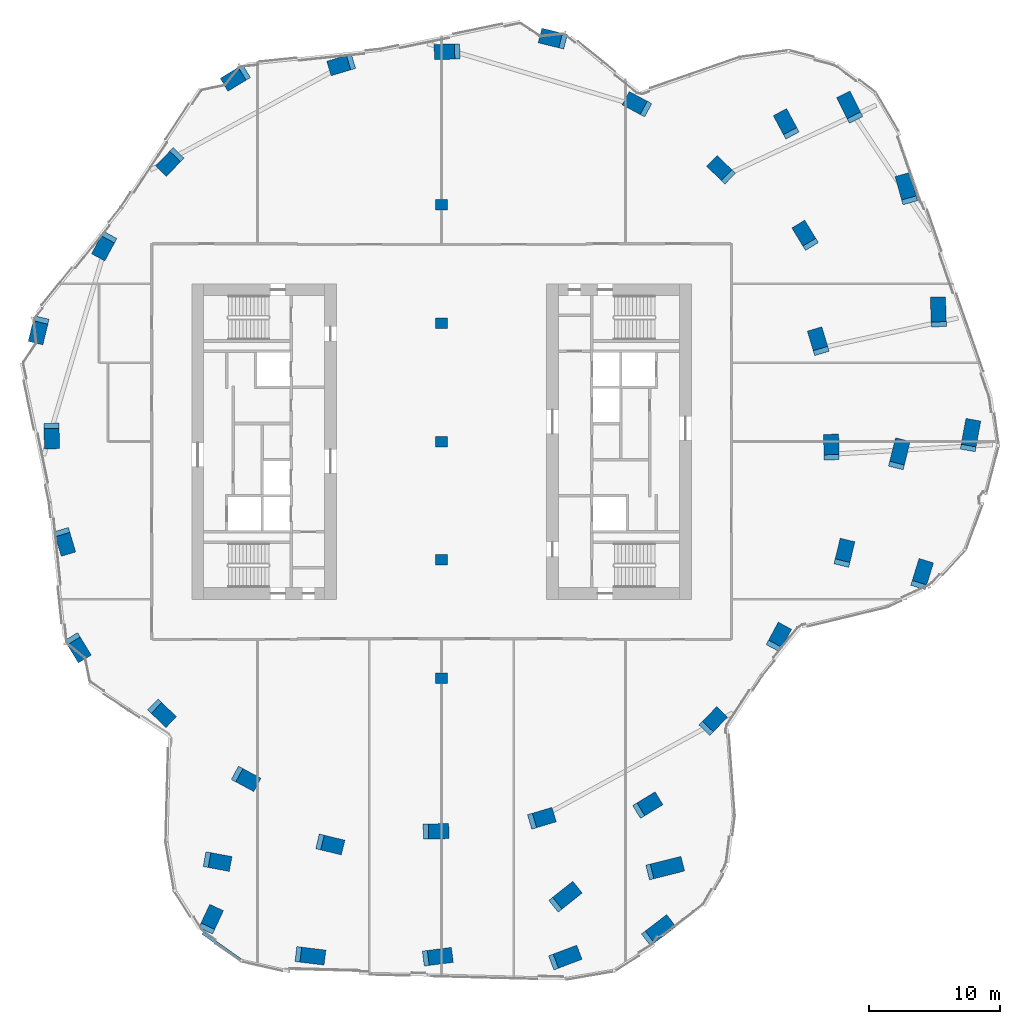
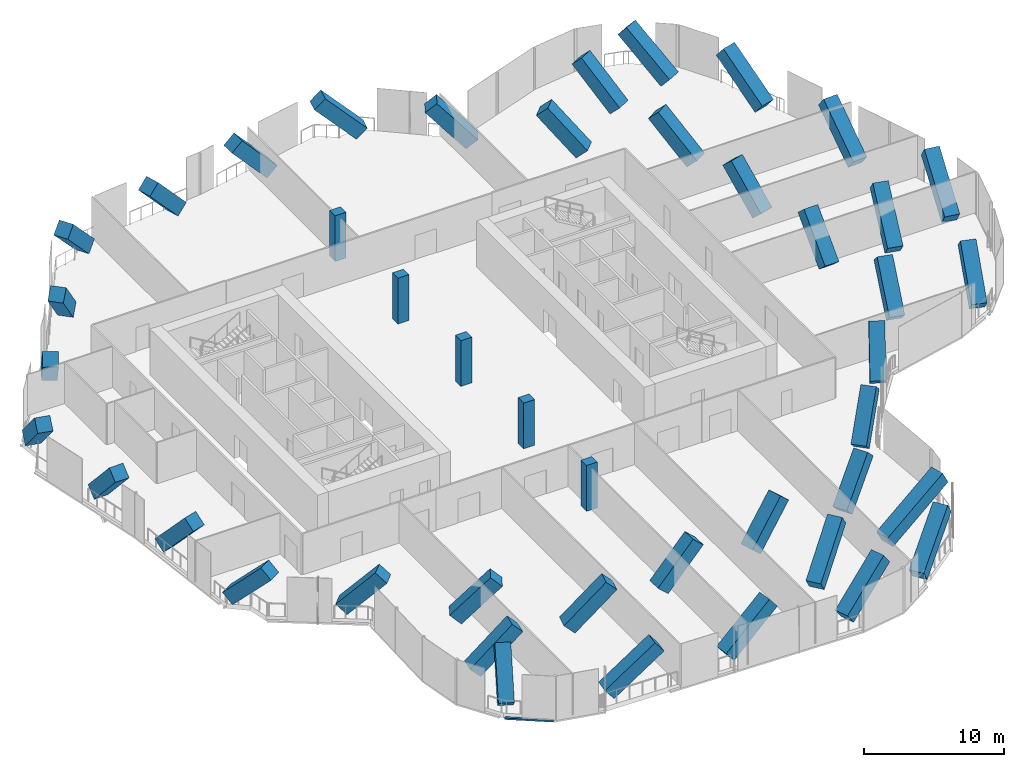
# One storey, part 1 of 26: 44 columns, 1 member, 1 element without a shape of its own.
"""IFC4 building model written with IfcOpenShell, lengths in metres."""

from ifc_helpers import new_model, si_unit, direction, frame, origin, origin_2d, place, context, subcontext, project, spatial, rectangle, extrude, material, material_profile, profile_set, type_object, element, aggregate, save


model = new_model("IFC4")

# Units and contexts
model_context = context("Model", 3, precision=1e-05, world=origin(), true_north=direction((0.0, 1.0)))
body_context = subcontext(model_context, "Body", "Model", "MODEL_VIEW")
ifc_project = project(units=[si_unit("LENGTHUNIT", "METRE"), si_unit("AREAUNIT", "SQUARE_METRE"), si_unit("VOLUMEUNIT", "CUBIC_METRE"), si_unit("PLANEANGLEUNIT", "RADIAN"), si_unit("MASSUNIT", "GRAM", prefix="KILO")], contexts=[model_context])

# Site, building, storey
site_placement = place(None, origin())
site = spatial("IfcSite", under=ifc_project, at=site_placement, CompositionType="ELEMENT")
building_placement = place(site_placement, origin())
building = spatial("IfcBuilding", under=site, at=building_placement, Name="Orlundy Tower", CompositionType="ELEMENT")
storey_placement = place(building_placement, frame((0.0, 0.0, 228.0)))
storey = spatial("IfcBuildingStorey", under=building, at=storey_placement, Name="L60", CompositionType="ELEMENT", Elevation=228.0)

# Columns
ifc_material_1 = material(Name="Concrete C60/75", Category="concrete")
ifc_material_profile_1 = material_profile(ifc_material_1, rectangle(XDim=1.14990234375, YDim=1.14990234375, at=origin_2d()), Name="RC1150X1150")
ifc_profile_set_1 = profile_set([ifc_material_profile_1], Name="Concrete C60/75")
column_type_1 = type_object("IfcColumnType", Name="RC COLUMN RC1150X1150 C60/75", PredefinedType="COLUMN", material=ifc_profile_set_1)
column_1_placement = place(storey_placement, frame((36.35498046875, -10.743896484375, 0.43408203125), z_axis=(0.223712213721, 0.720890237494, 0.65594977774), x_axis=(-0.95506876569, 0.296384299184, 0.0)))
element("IfcColumn", 1, at=column_1_placement, inside=storey, type_object=column_type_1, Name="Column C-A1-1 L60 strut", PredefinedType="COLUMN", context=body_context, shape_type="SweptSolid", body=[
    extrude(rectangle(XDim=1.14990234375, YDim=1.14990234375, at=origin_2d()), origin(), (0.0, 0.0, 1.0), 4.7744140625),
])
column_2_placement = place(storey_placement, frame((40.090087890625, -0.35107421875, 0.470703125), z_axis=(0.147012640932, 0.80533772245, 0.574298211911), x_axis=(-0.983743337071, 0.179580195924, 0.0)))
element("IfcColumn", 2, at=column_2_placement, inside=storey, type_object=column_type_1, Name="Column C-A2-5 L60 strut", PredefinedType="COLUMN", context=body_context, shape_type="SweptSolid", body=[
    extrude(rectangle(XDim=1.14990234375, YDim=1.14990234375, at=origin_2d()), origin(), (0.0, 0.0, 1.0), 5.32568359375),
])
column_3_placement = place(storey_placement, frame((34.64404296875, -1.657958984375, 0.44873046875), z_axis=(0.189224937429, 0.757145751973, 0.625239340832), x_axis=(-0.970161039222, 0.24246145668, 0.0)))
element("IfcColumn", 3, at=column_3_placement, inside=storey, type_object=column_type_1, Name="Column C-A2-6 L60 strut", PredefinedType="COLUMN", context=body_context, shape_type="SweptSolid", body=[
    extrude(rectangle(XDim=1.14990234375, YDim=1.14990234375, at=origin_2d()), origin(), (0.0, 0.0, 1.0), 4.962158203125),
])
column_4_placement = place(storey_placement, frame((37.824951171875, 9.0810546875, 0.4560546875), z_axis=(-0.027013518412, 0.792685454712, 0.609032051464), x_axis=(-0.999419833752, -0.034058712595, 0.0)))
element("IfcColumn", 4, at=column_4_placement, inside=storey, type_object=column_type_1, Name="Column C-A3-5 L60 strut", PredefinedType="COLUMN", context=body_context, shape_type="SweptSolid", body=[
    extrude(rectangle(XDim=1.14990234375, YDim=1.14990234375, at=origin_2d()), origin(), (0.0, 0.0, 1.0), 5.070068359375),
])
column_5_placement = place(storey_placement, frame((35.56103515625, 18.512939453125, 0.449951171875), z_axis=(-0.212348084924, 0.753075563993, 0.622724245349), x_axis=(-0.962468988163, -0.271391685253, 0.0)))
element("IfcColumn", 5, at=column_5_placement, inside=storey, type_object=column_type_1, Name="Column C-A4-5 L60 strut", PredefinedType="COLUMN", context=body_context, shape_type="SweptSolid", body=[
    extrude(rectangle(XDim=1.14990234375, YDim=1.14990234375, at=origin_2d()), origin(), (0.0, 0.0, 1.0), 4.978271484375),
])
column_6_placement = place(storey_placement, frame((31.3701171875, 24.802001953125, 0.439208984375), z_axis=(-0.342717857029, 0.682862302587, 0.645169393399), x_axis=(-0.893752543272, -0.448560354238, 0.0)))
element("IfcColumn", 6, at=column_6_placement, inside=storey, type_object=column_type_1, Name="Column C-A5-5 L60 strut", PredefinedType="COLUMN", context=body_context, shape_type="SweptSolid", body=[
    extrude(rectangle(XDim=1.14990234375, YDim=1.14990234375, at=origin_2d()), origin(), (0.0, 0.0, 1.0), 4.83837890625),
])
column_7_placement = place(storey_placement, frame((26.508056640625, 23.635009765625, 0.408447265625), z_axis=(-0.335727016985, 0.625884139737, 0.703957678907), x_axis=(-0.881226693687, -0.47269389073, 0.0)))
element("IfcColumn", 7, at=column_7_placement, inside=storey, type_object=column_type_1, Name="Column C-A5-6 L60 strut", PredefinedType="COLUMN", context=body_context, shape_type="SweptSolid", body=[
    extrude(rectangle(XDim=1.14990234375, YDim=1.14990234375, at=origin_2d()), origin(), (0.0, 0.0, 1.0), 4.521728515625),
])
column_8_placement = place(storey_placement, frame((-17.763916015625, -36.841064453125, 0.3916015625), z_axis=(0.288431866034, 0.616773942093, 0.73239126361), x_axis=(-0.905842892123, 0.423613803824, 0.0)))
element("IfcColumn", 8, at=column_8_placement, inside=storey, type_object=column_type_1, Name="Column C-B1-6 L60 strut", PredefinedType="COLUMN", context=body_context, shape_type="SweptSolid", body=[
    extrude(rectangle(XDim=1.14990234375, YDim=1.14990234375, at=origin_2d()), origin(), (0.0, 0.0, 1.0), 4.39208984375),
])
column_9_placement = place(storey_placement, frame((-17.633056640625, -31.843017578125, 0.408447265625), z_axis=(0.698320391651, -0.130000425442, 0.703881041078), x_axis=(0.183017252519, 0.983109701549, 0.0)))
element("IfcColumn", 9, at=column_9_placement, inside=storey, type_object=column_type_1, Name="Column C-B1-7 L60 strut", PredefinedType="COLUMN", context=body_context, shape_type="SweptSolid", body=[
    extrude(rectangle(XDim=1.14990234375, YDim=1.14990234375, at=origin_2d()), origin(), (0.0, 0.0, 1.0), 4.522216796875),
])
column_10_placement = place(storey_placement, frame((-10.72509765625, -39.032958984375, 0.450439453125), z_axis=(0.777664177806, -0.094067935619, 0.621602485553), x_axis=(0.120086800803, 0.992763395917, 0.0)))
element("IfcColumn", 10, at=column_10_placement, inside=storey, type_object=column_type_1, Name="Column C-B2-6 L60 strut", PredefinedType="COLUMN", context=body_context, shape_type="SweptSolid", body=[
    extrude(rectangle(XDim=1.14990234375, YDim=1.14990234375, at=origin_2d()), origin(), (0.0, 0.0, 1.0), 4.985595703125),
])
column_11_placement = place(storey_placement, frame((-1.029052734375, -39.287109375, 0.449462890625), z_axis=(0.775387512254, 0.098556221475, 0.623747446527), x_axis=(-0.126091286629, 0.992018642686, 0.0)))
element("IfcColumn", 11, at=column_11_placement, inside=storey, type_object=column_type_1, Name="Column C-B3-6 L60 strut", PredefinedType="COLUMN", context=body_context, shape_type="SweptSolid", body=[
    extrude(rectangle(XDim=1.14990234375, YDim=1.14990234375, at=origin_2d()), origin(), (0.0, 0.0, 1.0), 4.9716796875),
])
column_12_placement = place(storey_placement, frame((8.66796875, -39.5400390625, 0.459716796875), z_axis=(0.747720204389, 0.282466785493, 0.600938441974), x_axis=(-0.353394775074, 0.935474282357, 0.0)))
element("IfcColumn", 12, at=column_12_placement, inside=storey, type_object=column_type_1, Name="Column C-B4-6 L60 strut", PredefinedType="COLUMN", context=body_context, shape_type="SweptSolid", body=[
    extrude(rectangle(XDim=1.14990234375, YDim=1.14990234375, at=origin_2d()), origin(), (0.0, 0.0, 1.0), 5.126220703125),
])
column_13_placement = place(storey_placement, frame((8.782958984375, -35.14208984375, 0.465576171875), z_axis=(0.633419176108, 0.504091812987, 0.587087379713), x_axis=(-0.622701836441, 0.782459214844, 0.0)))
element("IfcColumn", 13, at=column_13_placement, inside=storey, type_object=column_type_1, Name="Column C-B4-7 L60 strut", PredefinedType="COLUMN", context=body_context, shape_type="SweptSolid", body=[
    extrude(rectangle(XDim=1.14990234375, YDim=1.14990234375, at=origin_2d()), origin(), (0.0, 0.0, 1.0), 5.227294921875),
])
column_14_placement = place(storey_placement, frame((15.81103515625, -37.719970703125, 0.476318359375), z_axis=(0.657196690199, 0.504241263019, 0.560208228305), x_axis=(-0.608728380445, 0.793378698252, 0.0)))
element("IfcColumn", 14, at=column_14_placement, inside=storey, type_object=column_type_1, Name="Column C-B5-6 L60 strut", PredefinedType="COLUMN", context=body_context, shape_type="SweptSolid", body=[
    extrude(rectangle(XDim=1.14990234375, YDim=1.14990234375, at=origin_2d()), origin(), (0.0, 0.0, 1.0), 5.439697265625),
])
column_15_placement = place(storey_placement, frame((15.94189453125, -32.721923828125, 0.505126953125), z_axis=(0.851779937754, 0.214545194182, 0.477955329808), x_axis=(-0.24424984887, 0.969712334317, 0.0)))
element("IfcColumn", 15, at=column_15_placement, inside=storey, type_object=column_type_1, Name="Column C-B5-7 L60 strut", PredefinedType="COLUMN", context=body_context, shape_type="SweptSolid", body=[
    extrude(rectangle(XDim=1.14990234375, YDim=1.14990234375, at=origin_2d()), origin(), (0.0, 0.0, 1.0), 6.25537109375),
])
column_16_placement = place(storey_placement, frame((9.0380859375, 30.511962890625, 0.403564453125), z_axis=(-0.682021270777, 0.165739556538, 0.712304278807), x_axis=(-0.236139696171, -0.971719117797, 0.0)))
element("IfcColumn", 16, at=column_16_placement, inside=storey, type_object=column_type_1, Name="Column C-H01 L60 strut", PredefinedType="COLUMN", context=body_context, shape_type="SweptSolid", body=[
    extrude(rectangle(XDim=1.14990234375, YDim=1.14990234375, at=origin_2d()), origin(), (0.0, 0.0, 1.0), 4.482421875),
])
column_17_placement = place(storey_placement, frame((15.346923828125, 25.403076171875, 0.38671875), z_axis=(-0.592315342447, 0.318943337044, 0.739890318127), x_axis=(-0.474104785693, -0.880468427704, 0.0)))
element("IfcColumn", 17, at=column_17_placement, inside=storey, type_object=column_type_1, Name="Column C-H02 L60 strut", PredefinedType="COLUMN", context=body_context, shape_type="SweptSolid", body=[
    extrude(rectangle(XDim=1.14990234375, YDim=1.14990234375, at=origin_2d()), origin(), (0.0, 0.0, 1.0), 4.36083984375),
])
column_18_placement = place(storey_placement, frame((21.656982421875, 20.29296875, 0.386962890625), z_axis=(-0.483770630013, 0.467760632306, 0.739706677273), x_axis=(-0.695110964546, -0.718902459982, 0.0)))
element("IfcColumn", 18, at=column_18_placement, inside=storey, type_object=column_type_1, Name="Column C-H03 L60 strut", PredefinedType="COLUMN", context=body_context, shape_type="SweptSolid", body=[
    extrude(rectangle(XDim=1.14990234375, YDim=1.14990234375, at=origin_2d()), origin(), (0.0, 0.0, 1.0), 4.361328125),
])
column_19_placement = place(storey_placement, frame((27.966064453125, 15.18408203125, 0.403564453125), z_axis=(-0.364989084097, 0.599473191996, 0.712330583766), x_axis=(-0.854140104292, -0.520042961917, 0.0)))
element("IfcColumn", 19, at=column_19_placement, inside=storey, type_object=column_type_1, Name="Column C-H04 L60 strut", PredefinedType="COLUMN", context=body_context, shape_type="SweptSolid", body=[
    extrude(rectangle(XDim=1.14990234375, YDim=1.14990234375, at=origin_2d()), origin(), (0.0, 0.0, 1.0), 4.482177734375),
])
for number, where, z_axis, x_axis, name in (
    (20, (28.81494140625, 7.110107421875, 0.386962890625), (-0.193305987946, 0.644521239277, 0.739746691202), (-0.957846891185, -0.287279190069, 0.0), "Column C-H05 L60 strut"),
    (21, (29.6630859375, -0.964111328125, 0.386962890625), (-0.011476282982, 0.672790092097, 0.739744406471), (-0.999854548379, -0.017055265636, 0.0), "Column C-H06 L60 strut"),
):
    element("IfcColumn", number, at=place(storey_placement, frame(where, z_axis=z_axis, x_axis=x_axis)), inside=storey, type_object=column_type_1, Name=name, PredefinedType="COLUMN", context=body_context, shape_type="SweptSolid", body=[
        extrude(rectangle(XDim=1.14990234375, YDim=1.14990234375, at=origin_2d()), origin(), (0.0, 0.0, 1.0), 4.361083984375),
    ])
column_20_placement = place(storey_placement, frame((30.511962890625, -9.0380859375, 0.403564453125), z_axis=(0.165739556538, 0.682021270777, 0.712304278807), x_axis=(-0.971719117797, 0.236139696171, 0.0)))
element("IfcColumn", 22, at=column_20_placement, inside=storey, type_object=column_type_1, Name="Column C-H07 L60 strut", PredefinedType="COLUMN", context=body_context, shape_type="SweptSolid", body=[
    extrude(rectangle(XDim=1.14990234375, YDim=1.14990234375, at=origin_2d()), origin(), (0.0, 0.0, 1.0), 4.482421875),
])
column_21_placement = place(storey_placement, frame((25.403076171875, -15.346923828125, 0.38671875), z_axis=(0.318943337044, 0.592315342447, 0.739890318127), x_axis=(-0.880468427704, 0.474104785693, 0.0)))
element("IfcColumn", 23, at=column_21_placement, inside=storey, type_object=column_type_1, Name="Column C-H08 L60 strut", PredefinedType="COLUMN", context=body_context, shape_type="SweptSolid", body=[
    extrude(rectangle(XDim=1.14990234375, YDim=1.14990234375, at=origin_2d()), origin(), (0.0, 0.0, 1.0), 4.36083984375),
])
column_22_placement = place(storey_placement, frame((20.29296875, -21.656982421875, 0.386962890625), z_axis=(0.467760632306, 0.483770630013, 0.739706677273), x_axis=(-0.718902459982, 0.695110964546, 0.0)))
element("IfcColumn", 24, at=column_22_placement, inside=storey, type_object=column_type_1, Name="Column C-H09 L60 strut", PredefinedType="COLUMN", context=body_context, shape_type="SweptSolid", body=[
    extrude(rectangle(XDim=1.14990234375, YDim=1.14990234375, at=origin_2d()), origin(), (0.0, 0.0, 1.0), 4.361328125),
])
column_23_placement = place(storey_placement, frame((15.18408203125, -27.966064453125, 0.403564453125), z_axis=(0.599473191996, 0.364989084097, 0.712330583766), x_axis=(-0.520042961917, 0.854140104292, 0.0)))
element("IfcColumn", 25, at=column_23_placement, inside=storey, type_object=column_type_1, Name="Column C-H10 L60 strut", PredefinedType="COLUMN", context=body_context, shape_type="SweptSolid", body=[
    extrude(rectangle(XDim=1.14990234375, YDim=1.14990234375, at=origin_2d()), origin(), (0.0, 0.0, 1.0), 4.482177734375),
])
for number, where, z_axis, x_axis, name in (
    (26, (7.110107421875, -28.81494140625, 0.386962890625), (0.644521239277, 0.193305987946, 0.739746691202), (-0.287279190069, 0.957846891185, 0.0), "Column C-H11 L60 strut"),
    (27, (-0.964111328125, -29.6630859375, 0.386962890625), (0.672790092097, 0.011476282982, 0.739744406471), (-0.017055265636, 0.999854548379, 0.0), "Column C-H12 L60 strut"),
):
    element("IfcColumn", number, at=place(storey_placement, frame(where, z_axis=z_axis, x_axis=x_axis)), inside=storey, type_object=column_type_1, Name=name, PredefinedType="COLUMN", context=body_context, shape_type="SweptSolid", body=[
        extrude(rectangle(XDim=1.14990234375, YDim=1.14990234375, at=origin_2d()), origin(), (0.0, 0.0, 1.0), 4.361083984375),
    ])
column_24_placement = place(storey_placement, frame((-9.0380859375, -30.511962890625, 0.403564453125), z_axis=(0.682021270777, -0.165739556538, 0.712304278807), x_axis=(0.236139696171, 0.971719117797, 0.0)))
element("IfcColumn", 28, at=column_24_placement, inside=storey, type_object=column_type_1, Name="Column C-H13 L60 strut", PredefinedType="COLUMN", context=body_context, shape_type="SweptSolid", body=[
    extrude(rectangle(XDim=1.14990234375, YDim=1.14990234375, at=origin_2d()), origin(), (0.0, 0.0, 1.0), 4.482421875),
])
column_25_placement = place(storey_placement, frame((-15.346923828125, -25.403076171875, 0.38671875), z_axis=(0.592315342447, -0.318943337044, 0.739890318127), x_axis=(0.474104785693, 0.880468427704, 0.0)))
element("IfcColumn", 29, at=column_25_placement, inside=storey, type_object=column_type_1, Name="Column C-H14 L60 strut", PredefinedType="COLUMN", context=body_context, shape_type="SweptSolid", body=[
    extrude(rectangle(XDim=1.14990234375, YDim=1.14990234375, at=origin_2d()), origin(), (0.0, 0.0, 1.0), 4.36083984375),
])
column_26_placement = place(storey_placement, frame((-21.656982421875, -20.29296875, 0.386962890625), z_axis=(0.483770630013, -0.467760632306, 0.739706677273), x_axis=(0.695110964546, 0.718902459982, 0.0)))
element("IfcColumn", 30, at=column_26_placement, inside=storey, type_object=column_type_1, Name="Column C-H15 L60 strut", PredefinedType="COLUMN", context=body_context, shape_type="SweptSolid", body=[
    extrude(rectangle(XDim=1.14990234375, YDim=1.14990234375, at=origin_2d()), origin(), (0.0, 0.0, 1.0), 4.361328125),
])
column_27_placement = place(storey_placement, frame((-27.966064453125, -15.18408203125, 0.403564453125), z_axis=(0.364989084097, -0.599473191996, 0.712330583766), x_axis=(0.854140104292, 0.520042961917, 0.0)))
element("IfcColumn", 31, at=column_27_placement, inside=storey, type_object=column_type_1, Name="Column C-H16 L60 strut", PredefinedType="COLUMN", context=body_context, shape_type="SweptSolid", body=[
    extrude(rectangle(XDim=1.14990234375, YDim=1.14990234375, at=origin_2d()), origin(), (0.0, 0.0, 1.0), 4.482177734375),
])
for number, where, z_axis, x_axis, name in (
    (32, (-28.81494140625, -7.110107421875, 0.386962890625), (0.193305987946, -0.644521239277, 0.739746691202), (0.957846891185, 0.287279190069, 0.0), "Column C-H17 L60 strut"),
    (33, (-29.6630859375, 0.964111328125, 0.386962890625), (0.011476282982, -0.672790092097, 0.739744406471), (0.999854548379, 0.017055265636, 0.0), "Column C-H18 L60 strut"),
):
    element("IfcColumn", number, at=place(storey_placement, frame(where, z_axis=z_axis, x_axis=x_axis)), inside=storey, type_object=column_type_1, Name=name, PredefinedType="COLUMN", context=body_context, shape_type="SweptSolid", body=[
        extrude(rectangle(XDim=1.14990234375, YDim=1.14990234375, at=origin_2d()), origin(), (0.0, 0.0, 1.0), 4.361083984375),
    ])
column_28_placement = place(storey_placement, frame((-30.511962890625, 9.0380859375, 0.403564453125), z_axis=(-0.165739556538, -0.682021270777, 0.712304278807), x_axis=(0.971719117797, -0.236139696171, 0.0)))
element("IfcColumn", 34, at=column_28_placement, inside=storey, type_object=column_type_1, Name="Column C-H19 L60 strut", PredefinedType="COLUMN", context=body_context, shape_type="SweptSolid", body=[
    extrude(rectangle(XDim=1.14990234375, YDim=1.14990234375, at=origin_2d()), origin(), (0.0, 0.0, 1.0), 4.482421875),
])
column_29_placement = place(storey_placement, frame((-25.403076171875, 15.346923828125, 0.38671875), z_axis=(-0.318943337044, -0.592315342447, 0.739890318127), x_axis=(0.880468427704, -0.474104785693, 0.0)))
element("IfcColumn", 35, at=column_29_placement, inside=storey, type_object=column_type_1, Name="Column C-H20 L60 strut", PredefinedType="COLUMN", context=body_context, shape_type="SweptSolid", body=[
    extrude(rectangle(XDim=1.14990234375, YDim=1.14990234375, at=origin_2d()), origin(), (0.0, 0.0, 1.0), 4.36083984375),
])
column_30_placement = place(storey_placement, frame((-20.29296875, 21.656982421875, 0.386962890625), z_axis=(-0.467760632306, -0.483770630013, 0.739706677273), x_axis=(0.718902459982, -0.695110964546, 0.0)))
element("IfcColumn", 36, at=column_30_placement, inside=storey, type_object=column_type_1, Name="Column C-H21 L60 strut", PredefinedType="COLUMN", context=body_context, shape_type="SweptSolid", body=[
    extrude(rectangle(XDim=1.14990234375, YDim=1.14990234375, at=origin_2d()), origin(), (0.0, 0.0, 1.0), 4.361328125),
])
column_31_placement = place(storey_placement, frame((-15.18408203125, 27.966064453125, 0.403564453125), z_axis=(-0.599473191996, -0.364989084097, 0.712330583766), x_axis=(0.520042961917, -0.854140104292, 0.0)))
element("IfcColumn", 37, at=column_31_placement, inside=storey, type_object=column_type_1, Name="Column C-H22 L60 strut", PredefinedType="COLUMN", context=body_context, shape_type="SweptSolid", body=[
    extrude(rectangle(XDim=1.14990234375, YDim=1.14990234375, at=origin_2d()), origin(), (0.0, 0.0, 1.0), 4.482177734375),
])
for number, where, z_axis, x_axis, name in (
    (38, (-7.110107421875, 28.81494140625, 0.386962890625), (-0.644521239277, -0.193305987946, 0.739746691202), (0.287279190069, -0.957846891185, 0.0), "Column C-H23 L60 strut"),
    (39, (0.964111328125, 29.6630859375, 0.386962890625), (-0.672790092097, -0.011476282982, 0.739744406471), (0.017055265636, -0.999854548379, 0.0), "Column C-H24 L60 strut"),
):
    element("IfcColumn", number, at=place(storey_placement, frame(where, z_axis=z_axis, x_axis=x_axis)), inside=storey, type_object=column_type_1, Name=name, PredefinedType="COLUMN", context=body_context, shape_type="SweptSolid", body=[
        extrude(rectangle(XDim=1.14990234375, YDim=1.14990234375, at=origin_2d()), origin(), (0.0, 0.0, 1.0), 4.361083984375),
    ])
ifc_material_2 = material(Name="Concrete C60/75", Category="concrete")
ifc_material_profile_2 = material_profile(ifc_material_2, rectangle(XDim=0.89990234375, YDim=0.800048828125, at=origin_2d()), Name="RC900X800")
ifc_profile_set_2 = profile_set([ifc_material_profile_2], Name="Concrete C60/75")
column_type_2 = type_object("IfcColumnType", Name="RC COLUMN RC900X800 C60/75", PredefinedType="COLUMN", material=ifc_profile_set_2)
for number, where, z_axis, x_axis, name in (
    (40, (0.0, -18.0, 0.0), (0.0, 0.0, 1.0), (1.0, 0.0, 0.0), "Column C-M1 L60"),
    (41, (0.0, -9.0, 0.0), (0.0, 0.0, 1.0), (1.0, 0.0, 0.0), "Column C-M2 L60"),
    (42, (0.0, 0.0, 0.0), (0.0, 0.0, 1.0), (1.0, 0.0, 0.0), "Column C-M3 L60"),
    (43, (0.0, 9.0, 0.0), (0.0, 0.0, 1.0), (1.0, 0.0, 0.0), "Column C-M4 L60"),
    (44, (0.0, 18.0, 0.0), (0.0, 0.0, 1.0), (1.0, 0.0, 0.0), "Column C-M5 L60"),
):
    element("IfcColumn", number, at=place(storey_placement, frame(where, z_axis=z_axis, x_axis=x_axis)), inside=storey, type_object=column_type_2, Name=name, PredefinedType="COLUMN", context=body_context, shape_type="SweptSolid", body=[
        extrude(rectangle(XDim=0.89990234375, YDim=0.800048828125, at=origin_2d()), origin(), (0.0, 0.0, 1.0), 4.0),
    ])

# Curtain wall, member
ifc_material_3 = material(Name="Aluminium bronze anodised", Category="aluminium")
curtain_wall_type = type_object("IfcCurtainWallType", Name="CW5 wall", PredefinedType="NOTDEFINED", material=ifc_material_3)
curtain_wall_placement = place(storey_placement, origin())
curtain_wall = element("IfcCurtainWall", 45, at=curtain_wall_placement, inside=storey, type_object=curtain_wall_type, Name="CW5 run 042", PredefinedType="NOTDEFINED")
ifc_material_4 = material(Name="Aluminium bronze anodised", Category="aluminium")
ifc_material_profile_3 = material_profile(ifc_material_4, rectangle(XDim=0.199951171875, YDim=0.139892578125, at=origin_2d()), Name="CW5 transom 200x140")
ifc_profile_set_3 = profile_set([ifc_material_profile_3], Name="Aluminium bronze anodised")
member_type = type_object("IfcMemberType", Name="CW5 transom 200x140", PredefinedType="USERDEFINED", material=ifc_profile_set_3)
member_placement = place(storey_placement, frame((-15.295166015625, -39.428466796875, -0.35009765625), z_axis=(-0.81668988116, 0.577076804257, 0.0), x_axis=(-0.577076804257, -0.81668988116, 0.0)))
member = element("IfcMember", 46, at=member_placement, type_object=member_type, Name="CW5 transom", ObjectType="TRANSOM", PredefinedType="USERDEFINED", context=body_context, shape_type="SweptSolid", body=[
    extrude(rectangle(XDim=0.199951171875, YDim=0.139892578125, at=origin_2d()), origin(), (0.0, 0.0, 1.0), 3.530517578125),
])
aggregate(curtain_wall, [member])

save(model, "model.ifc")
